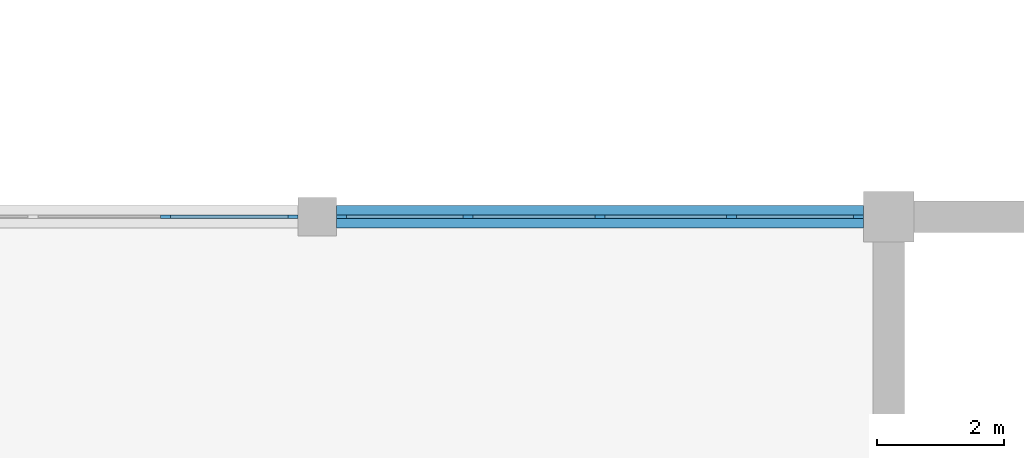
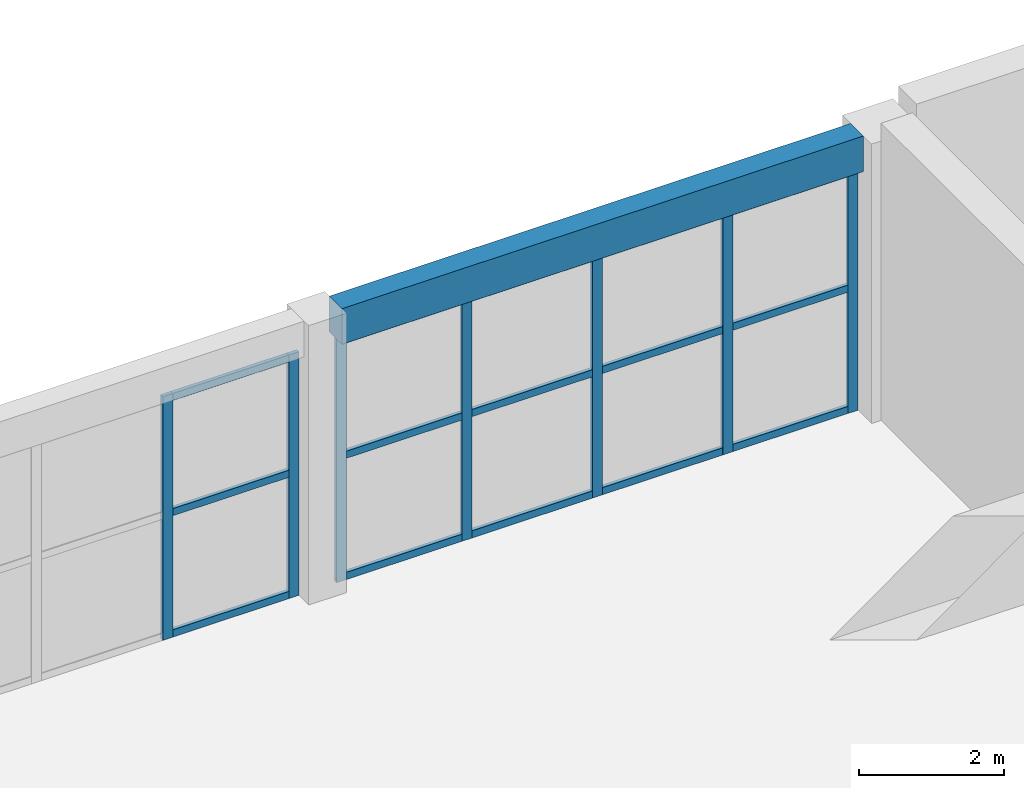
# One storey, part 12 of 34: 22 members, 1 beam, 2 elements without a shape of their own.
"""IFC4 building model written with IfcOpenShell, lengths in metres."""

from ifc_helpers import new_model, si_unit, direction, frame, origin, origin_2d, place, context, subcontext, project, spatial, rectangle, extrude, material, material_profile, profile_set, type_object, element, aggregate, save


model = new_model("IFC4")

# Units and contexts
model_context = context("Model", 3, precision=1e-05, world=origin(), true_north=direction((0.0, 1.0)))
body_context = subcontext(model_context, "Body", "Model", "MODEL_VIEW")
ifc_project = project(units=[si_unit("LENGTHUNIT", "METRE"), si_unit("AREAUNIT", "SQUARE_METRE"), si_unit("VOLUMEUNIT", "CUBIC_METRE"), si_unit("PLANEANGLEUNIT", "RADIAN"), si_unit("MASSUNIT", "GRAM", prefix="KILO")], contexts=[model_context])

# Site, building, storey
site_placement = place(None, origin())
site = spatial("IfcSite", under=ifc_project, at=site_placement, CompositionType="ELEMENT")
building_placement = place(site_placement, origin())
building = spatial("IfcBuilding", under=site, at=building_placement, Name="Firuza Court", CompositionType="ELEMENT")
storey_placement = place(building_placement, frame((0.0, 0.0, 19.0)))
storey = spatial("IfcBuildingStorey", under=building, at=storey_placement, Name="L03", CompositionType="ELEMENT", Elevation=19.0)

# Curtain wall, members
ifc_material_1 = material(Name="Aluminium", Category="aluminium")
curtain_wall_type = type_object("IfcCurtainWallType", Name="CW6 FOYER CURTAIN WALL", PredefinedType="NOTDEFINED", material=ifc_material_1)
curtain_wall_1_placement = place(storey_placement, origin())
curtain_wall_1 = element("IfcCurtainWall", 1, at=curtain_wall_1_placement, inside=storey, type_object=curtain_wall_type, Name="CW6 foyer curtain wall 9", PredefinedType="NOTDEFINED")
ifc_material_2 = material(Name="Aluminium", Category="aluminium")
ifc_material_profile_1 = material_profile(ifc_material_2, rectangle(XDim=0.06005859375, YDim=0.159912109375, at=origin_2d()), Name="MULLION 60X160")
ifc_profile_set_1 = profile_set([ifc_material_profile_1], Name="Aluminium")
member_type_1 = type_object("IfcMemberType", Name="CW6 MULLION 60X160", PredefinedType="MULLION", material=ifc_profile_set_1)
member_1_placement = place(storey_placement, frame((96.612548828125, 45.0, 0.0), z_axis=(0.0, 0.0, 1.0), x_axis=(0.0, 1.0, 0.0)))
member_1 = element("IfcMember", 2, at=member_1_placement, type_object=member_type_1, Name="CW6 mullion 4", PredefinedType="MULLION", context=body_context, shape_type="SweptSolid", body=[
    extrude(rectangle(XDim=0.06005859375, YDim=0.159912109375, at=origin_2d()), origin(), (0.0, 0.0, 1.0), 4.10009765625),
])
member_2_placement = place(storey_placement, frame((98.6201171875, 45.0, 0.0), z_axis=(0.0, 0.0, 1.0), x_axis=(0.0, 1.0, 0.0)))
member_2 = element("IfcMember", 3, at=member_2_placement, type_object=member_type_1, Name="CW6 mullion 5", PredefinedType="MULLION", context=body_context, shape_type="SweptSolid", body=[
    extrude(rectangle(XDim=0.06005859375, YDim=0.159912109375, at=origin_2d()), origin(), (0.0, 0.0, 1.0), 4.10009765625),
])

curtain_wall_2_placement = place(storey_placement, origin())
curtain_wall_2 = element("IfcCurtainWall", 4, at=curtain_wall_2_placement, inside=storey, type_object=curtain_wall_type, Name="CW6 foyer curtain wall 10", PredefinedType="NOTDEFINED")
member_3_placement = place(storey_placement, frame((99.3798828125, 45.0, 0.0), z_axis=(0.0, 0.0, 1.0), x_axis=(0.0, 1.0, 0.0)))
member_3 = element("IfcMember", 5, at=member_3_placement, type_object=member_type_1, Name="CW6 mullion 1", PredefinedType="MULLION", context=body_context, shape_type="SweptSolid", body=[
    extrude(rectangle(XDim=0.06005859375, YDim=0.159912109375, at=origin_2d()), origin(), (0.0, 0.0, 1.0), 4.10009765625),
])
member_4_placement = place(storey_placement, frame((101.375, 45.0, 0.0), z_axis=(0.0, 0.0, 1.0), x_axis=(0.0, 1.0, 0.0)))
member_4 = element("IfcMember", 6, at=member_4_placement, type_object=member_type_1, Name="CW6 mullion 2", PredefinedType="MULLION", context=body_context, shape_type="SweptSolid", body=[
    extrude(rectangle(XDim=0.06005859375, YDim=0.159912109375, at=origin_2d()), origin(), (0.0, 0.0, 1.0), 4.10009765625),
])
member_5_placement = place(storey_placement, frame((103.449951171875, 45.0, 0.0), z_axis=(0.0, 0.0, 1.0), x_axis=(0.0, 1.0, 0.0)))
member_5 = element("IfcMember", 7, at=member_5_placement, type_object=member_type_1, Name="CW6 mullion 3", PredefinedType="MULLION", context=body_context, shape_type="SweptSolid", body=[
    extrude(rectangle(XDim=0.06005859375, YDim=0.159912109375, at=origin_2d()), origin(), (0.0, 0.0, 1.0), 4.10009765625),
])
member_6_placement = place(storey_placement, frame((105.52490234375, 45.0, 0.0), z_axis=(0.0, 0.0, 1.0), x_axis=(0.0, 1.0, 0.0)))
member_6 = element("IfcMember", 8, at=member_6_placement, type_object=member_type_1, Name="CW6 mullion 4", PredefinedType="MULLION", context=body_context, shape_type="SweptSolid", body=[
    extrude(rectangle(XDim=0.06005859375, YDim=0.159912109375, at=origin_2d()), origin(), (0.0, 0.0, 1.0), 4.10009765625),
])
member_7_placement = place(storey_placement, frame((107.52001953125, 45.0, 0.0), z_axis=(0.0, 0.0, 1.0), x_axis=(0.0, 1.0, 0.0)))
member_7 = element("IfcMember", 9, at=member_7_placement, type_object=member_type_1, Name="CW6 mullion 5", PredefinedType="MULLION", context=body_context, shape_type="SweptSolid", body=[
    extrude(rectangle(XDim=0.06005859375, YDim=0.159912109375, at=origin_2d()), origin(), (0.0, 0.0, 1.0), 4.10009765625),
])

# Member
ifc_material_3 = material(Name="Aluminium", Category="aluminium")
ifc_material_profile_2 = material_profile(ifc_material_3, rectangle(XDim=0.06005859375, YDim=0.1201171875, at=origin_2d()), Name="TRANSOM 60X120")
ifc_profile_set_2 = profile_set([ifc_material_profile_2], Name="Aluminium")
member_type_2 = type_object("IfcMemberType", Name="CW6 TRANSOM 60X120", PredefinedType="USERDEFINED", material=ifc_profile_set_2)
member_8_placement = place(storey_placement, frame((96.6923828125, 45.0, 0.06005859375), z_axis=(1.0, 0.0, 0.0), x_axis=(0.0, 1.0, 0.0)))
member_8 = element("IfcMember", 10, at=member_8_placement, type_object=member_type_2, Name="CW6 transom 4.1", ObjectType="TRANSOM", PredefinedType="USERDEFINED", context=body_context, shape_type="SweptSolid", body=[
    extrude(rectangle(XDim=0.06005859375, YDim=0.1201171875, at=origin_2d()), origin(), (0.0, 0.0, 1.0), 1.84765625),
])

member_9_placement = place(storey_placement, frame((96.6923828125, 45.0, 2.10009765625), z_axis=(1.0, 0.0, 0.0), x_axis=(0.0, 1.0, 0.0)))
member_9 = element("IfcMember", 11, at=member_9_placement, type_object=member_type_2, Name="CW6 transom 4.2", ObjectType="TRANSOM", PredefinedType="USERDEFINED", context=body_context, shape_type="SweptSolid", body=[
    extrude(rectangle(XDim=0.06005859375, YDim=0.1201171875, at=origin_2d()), origin(), (0.0, 0.0, 1.0), 1.84765625),
])

member_10_placement = place(storey_placement, frame((96.6923828125, 45.0, 4.0400390625), z_axis=(1.0, 0.0, 0.0), x_axis=(0.0, 1.0, 0.0)))
member_10 = element("IfcMember", 12, at=member_10_placement, type_object=member_type_2, Name="CW6 transom 4.3", ObjectType="TRANSOM", PredefinedType="USERDEFINED", context=body_context, shape_type="SweptSolid", body=[
    extrude(rectangle(XDim=0.06005859375, YDim=0.1201171875, at=origin_2d()), origin(), (0.0, 0.0, 1.0), 1.84765625),
])

aggregate(curtain_wall_1, [member_1, member_2, member_8, member_9, member_10])

member_11_placement = place(storey_placement, frame((99.4599609375, 45.0, 0.06005859375), z_axis=(1.0, 0.0, 0.0), x_axis=(0.0, 1.0, 0.0)))
member_11 = element("IfcMember", 13, at=member_11_placement, type_object=member_type_2, Name="CW6 transom 1.1", ObjectType="TRANSOM", PredefinedType="USERDEFINED", context=body_context, shape_type="SweptSolid", body=[
    extrude(rectangle(XDim=0.06005859375, YDim=0.1201171875, at=origin_2d()), origin(), (0.0, 0.0, 1.0), 1.8349609375),
])

member_12_placement = place(storey_placement, frame((99.4599609375, 45.0, 2.10009765625), z_axis=(1.0, 0.0, 0.0), x_axis=(0.0, 1.0, 0.0)))
member_12 = element("IfcMember", 14, at=member_12_placement, type_object=member_type_2, Name="CW6 transom 1.2", ObjectType="TRANSOM", PredefinedType="USERDEFINED", context=body_context, shape_type="SweptSolid", body=[
    extrude(rectangle(XDim=0.06005859375, YDim=0.1201171875, at=origin_2d()), origin(), (0.0, 0.0, 1.0), 1.8349609375),
])

member_13_placement = place(storey_placement, frame((99.4599609375, 45.0, 4.0400390625), z_axis=(1.0, 0.0, 0.0), x_axis=(0.0, 1.0, 0.0)))
member_13 = element("IfcMember", 15, at=member_13_placement, type_object=member_type_2, Name="CW6 transom 1.3", ObjectType="TRANSOM", PredefinedType="USERDEFINED", context=body_context, shape_type="SweptSolid", body=[
    extrude(rectangle(XDim=0.06005859375, YDim=0.1201171875, at=origin_2d()), origin(), (0.0, 0.0, 1.0), 1.8349609375),
])

member_14_placement = place(storey_placement, frame((101.455078125, 45.0, 0.06005859375), z_axis=(1.0, 0.0, 0.0), x_axis=(0.0, 1.0, 0.0)))
member_14 = element("IfcMember", 16, at=member_14_placement, type_object=member_type_2, Name="CW6 transom 2.1", ObjectType="TRANSOM", PredefinedType="USERDEFINED", context=body_context, shape_type="SweptSolid", body=[
    extrude(rectangle(XDim=0.06005859375, YDim=0.1201171875, at=origin_2d()), origin(), (0.0, 0.0, 1.0), 1.9150390625),
])

member_15_placement = place(storey_placement, frame((101.455078125, 45.0, 2.10009765625), z_axis=(1.0, 0.0, 0.0), x_axis=(0.0, 1.0, 0.0)))
member_15 = element("IfcMember", 17, at=member_15_placement, type_object=member_type_2, Name="CW6 transom 2.2", ObjectType="TRANSOM", PredefinedType="USERDEFINED", context=body_context, shape_type="SweptSolid", body=[
    extrude(rectangle(XDim=0.06005859375, YDim=0.1201171875, at=origin_2d()), origin(), (0.0, 0.0, 1.0), 1.9150390625),
])

member_16_placement = place(storey_placement, frame((101.455078125, 45.0, 4.0400390625), z_axis=(1.0, 0.0, 0.0), x_axis=(0.0, 1.0, 0.0)))
member_16 = element("IfcMember", 18, at=member_16_placement, type_object=member_type_2, Name="CW6 transom 2.3", ObjectType="TRANSOM", PredefinedType="USERDEFINED", context=body_context, shape_type="SweptSolid", body=[
    extrude(rectangle(XDim=0.06005859375, YDim=0.1201171875, at=origin_2d()), origin(), (0.0, 0.0, 1.0), 1.9150390625),
])

member_17_placement = place(storey_placement, frame((103.530029296875, 45.0, 0.06005859375), z_axis=(1.0, 0.0, 0.0), x_axis=(0.0, 1.0, 0.0)))
member_17 = element("IfcMember", 19, at=member_17_placement, type_object=member_type_2, Name="CW6 transom 3.1", ObjectType="TRANSOM", PredefinedType="USERDEFINED", context=body_context, shape_type="SweptSolid", body=[
    extrude(rectangle(XDim=0.06005859375, YDim=0.1201171875, at=origin_2d()), origin(), (0.0, 0.0, 1.0), 1.9150390625),
])

member_18_placement = place(storey_placement, frame((103.530029296875, 45.0, 2.10009765625), z_axis=(1.0, 0.0, 0.0), x_axis=(0.0, 1.0, 0.0)))
member_18 = element("IfcMember", 20, at=member_18_placement, type_object=member_type_2, Name="CW6 transom 3.2", ObjectType="TRANSOM", PredefinedType="USERDEFINED", context=body_context, shape_type="SweptSolid", body=[
    extrude(rectangle(XDim=0.06005859375, YDim=0.1201171875, at=origin_2d()), origin(), (0.0, 0.0, 1.0), 1.9150390625),
])

member_19_placement = place(storey_placement, frame((103.530029296875, 45.0, 4.0400390625), z_axis=(1.0, 0.0, 0.0), x_axis=(0.0, 1.0, 0.0)))
member_19 = element("IfcMember", 21, at=member_19_placement, type_object=member_type_2, Name="CW6 transom 3.3", ObjectType="TRANSOM", PredefinedType="USERDEFINED", context=body_context, shape_type="SweptSolid", body=[
    extrude(rectangle(XDim=0.06005859375, YDim=0.1201171875, at=origin_2d()), origin(), (0.0, 0.0, 1.0), 1.9150390625),
])

member_20_placement = place(storey_placement, frame((105.60498046875, 45.0, 0.06005859375), z_axis=(1.0, 0.0, 0.0), x_axis=(0.0, 1.0, 0.0)))
member_20 = element("IfcMember", 22, at=member_20_placement, type_object=member_type_2, Name="CW6 transom 4.1", ObjectType="TRANSOM", PredefinedType="USERDEFINED", context=body_context, shape_type="SweptSolid", body=[
    extrude(rectangle(XDim=0.06005859375, YDim=0.1201171875, at=origin_2d()), origin(), (0.0, 0.0, 1.0), 1.8349609375),
])

member_21_placement = place(storey_placement, frame((105.60498046875, 45.0, 2.10009765625), z_axis=(1.0, 0.0, 0.0), x_axis=(0.0, 1.0, 0.0)))
member_21 = element("IfcMember", 23, at=member_21_placement, type_object=member_type_2, Name="CW6 transom 4.2", ObjectType="TRANSOM", PredefinedType="USERDEFINED", context=body_context, shape_type="SweptSolid", body=[
    extrude(rectangle(XDim=0.06005859375, YDim=0.1201171875, at=origin_2d()), origin(), (0.0, 0.0, 1.0), 1.8349609375),
])

member_22_placement = place(storey_placement, frame((105.60498046875, 45.0, 4.0400390625), z_axis=(1.0, 0.0, 0.0), x_axis=(0.0, 1.0, 0.0)))
member_22 = element("IfcMember", 24, at=member_22_placement, type_object=member_type_2, Name="CW6 transom 4.3", ObjectType="TRANSOM", PredefinedType="USERDEFINED", context=body_context, shape_type="SweptSolid", body=[
    extrude(rectangle(XDim=0.06005859375, YDim=0.1201171875, at=origin_2d()), origin(), (0.0, 0.0, 1.0), 1.8349609375),
])

aggregate(curtain_wall_2, [member_3, member_4, member_5, member_6, member_7, member_11, member_12, member_13, member_14, member_15, member_16, member_17, member_18, member_19, member_20, member_21, member_22])

# Beam
ifc_material_4 = material(Name="Concrete C40/50", Category="concrete")
ifc_material_profile_3 = material_profile(ifc_material_4, rectangle(XDim=0.35009765625, YDim=0.60009765625, at=origin_2d()), Name="RC 350X600")
ifc_profile_set_3 = profile_set([ifc_material_profile_3], Name="Concrete C40/50")
beam_type = type_object("IfcBeamType", Name="RC SPANDREL BEAM 350X600", PredefinedType="BEAM", material=ifc_profile_set_3)
beam_placement = place(storey_placement, frame((99.300048828125, 45.0, 4.39990234375), z_axis=(1.0, 0.0, 0.0), x_axis=(0.0, 1.0, 0.0)))
element("IfcBeam", 25, at=beam_placement, inside=storey, type_object=beam_type, Name="Edge beam N4.1 L03", PredefinedType="BEAM", context=body_context, shape_type="SweptSolid", body=[
    extrude(rectangle(XDim=0.35009765625, YDim=0.60009765625, at=origin_2d()), origin(), (0.0, 0.0, 1.0), 8.300048828125),
])

save(model, "model.ifc")
